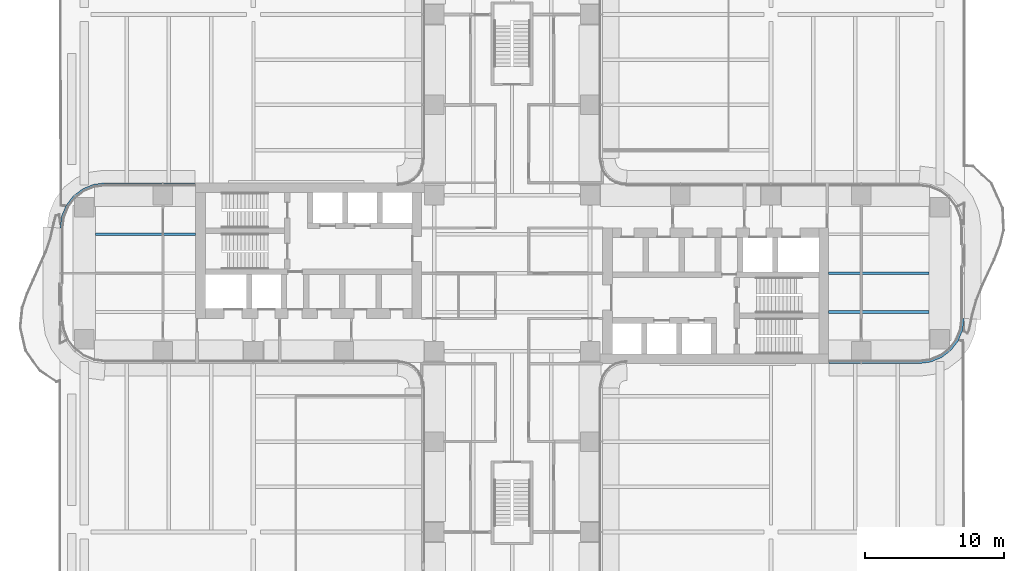
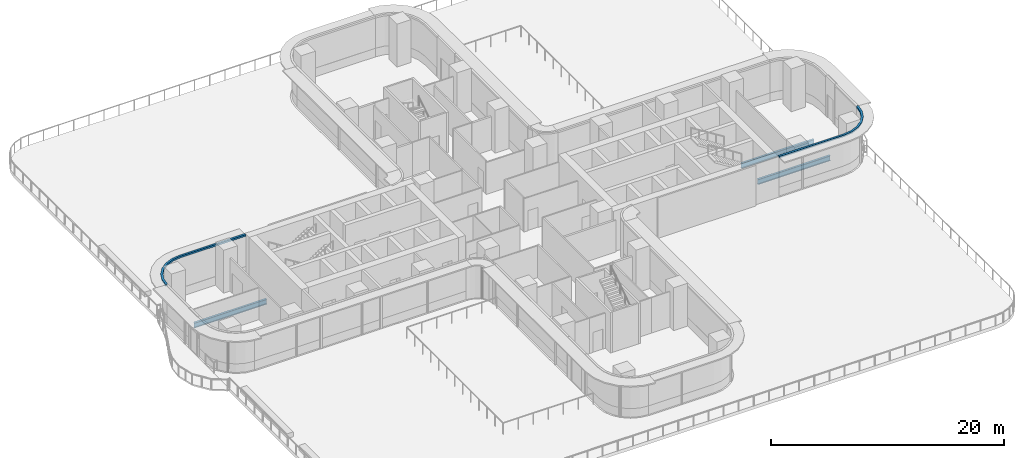
# One storey, part 9 of 29: 3 beams, 2 members, 2 elements without a shape of their own.
"""IFC4 building model written with IfcOpenShell, lengths in metres."""

import ifcopenshell
import ifcopenshell.guid

model = None  # the IFC model being written
_history = None  # IfcOwnerHistory: only IFC2X3 demands one
_inside = {}  # id of a spatial element -> (the spatial element, [elements in it])
_under = {}  # id of a project, library or spatial element -> (it, [spatial elements below it])
_declared = {}  # id of a project -> (the project, [libraries it declares])
_typed = {}  # id of a type object -> (the type object, [elements of that type])
_made_of = {}  # id of a material, layer set ... -> (it, [elements and type objects made of it])


def new_model(schema):
    """Start an empty IFC model of exactly this schema.

    Asked for "IFC4X3", IfcOpenShell would pick the latest addendum, in which some entities
    have other attributes; the version numbers below select the first issue.
    IFC2X3 requires an IfcOwnerHistory on every rooted entity: one is made here for all.
    """
    global model, _history
    if schema == "IFC4X3":
        model = ifcopenshell.file(schema_version=(4, 3, 0, 0))
    else:
        model = ifcopenshell.file(schema=schema)
    _inside.clear()
    _under.clear()
    _declared.clear()
    _typed.clear()
    _made_of.clear()
    _history = None
    if model.schema == "IFC2X3":
        org = make("IfcOrganization", Name="unknown")
        user = make(
            "IfcPersonAndOrganization",
            ThePerson=make("IfcPerson", FamilyName="unknown"),
            TheOrganization=org,
        )
        app = make(
            "IfcApplication",
            ApplicationDeveloper=org,
            Version="unknown",
            ApplicationFullName="unknown",
            ApplicationIdentifier="unknown",
        )
        _history = make(
            "IfcOwnerHistory",
            OwningUser=user,
            OwningApplication=app,
            ChangeAction="ADDED",
            CreationDate=0,
        )
    return model


def make(cls, **values):
    """One entity of the class cls with the attributes given. An attribute that is None is left unset."""
    return model.create_entity(
        cls, **{name: value for name, value in values.items() if value is not None}
    )


def rooted(cls, **values):
    """An entity with a GlobalId (a new one), such as an element, a storey or a relation."""
    return make(cls, GlobalId=ifcopenshell.guid.new(), OwnerHistory=_history, **values)


def si_unit(unit_type, name, prefix=None):
    """IfcSIUnit, for example si_unit("LENGTHUNIT", "METRE", prefix="MILLI")."""
    return make("IfcSIUnit", UnitType=unit_type, Prefix=prefix, Name=name)


def assignment(units):
    """IfcUnitAssignment: the units of a project."""
    return None if units is None else make("IfcUnitAssignment", Units=units)


def point(xyz):
    """IfcCartesianPoint."""
    return None if xyz is None else make("IfcCartesianPoint", Coordinates=xyz)


def direction(xyz):
    """IfcDirection."""
    return None if xyz is None else make("IfcDirection", DirectionRatios=xyz)


def frame(location, z_axis=None, x_axis=None):
    """IfcAxis2Placement3D, a coordinate frame: its origin and axes. An axis left out is left unset."""
    return make(
        "IfcAxis2Placement3D",
        Location=point(location),
        Axis=direction(z_axis),
        RefDirection=direction(x_axis),
    )


def frame_2d(location, x_axis=None):
    """IfcAxis2Placement2D, a coordinate frame in the plane: its origin and x axis."""
    return make(
        "IfcAxis2Placement2D", Location=point(location), RefDirection=direction(x_axis)
    )


def origin():
    """The frame at (0, 0, 0) with its axes left unset."""
    return frame((0.0, 0.0, 0.0))


def origin_2d():
    """The frame at (0, 0) in the plane with its x axis left unset."""
    return frame_2d((0.0, 0.0))


def place(relative_to, where):
    """IfcLocalPlacement: puts the frame where relative to a parent placement (None: the world)."""
    return make(
        "IfcLocalPlacement", PlacementRelTo=relative_to, RelativePlacement=where
    )


def context(
    kind, dimensions, precision=None, world=None, true_north=None, identifier=None
):
    """IfcGeometricRepresentationContext, for example the 3D "Model" context."""
    return make(
        "IfcGeometricRepresentationContext",
        ContextIdentifier=identifier,
        ContextType=kind,
        CoordinateSpaceDimension=dimensions,
        Precision=precision,
        WorldCoordinateSystem=world,
        TrueNorth=true_north,
    )


def subcontext(parent, identifier, kind, view, scale=None):
    """IfcGeometricRepresentationSubContext, for example "Body" below "Model"."""
    return make(
        "IfcGeometricRepresentationSubContext",
        ContextIdentifier=identifier,
        ContextType=kind,
        ParentContext=parent,
        TargetScale=scale,
        TargetView=view,
    )


def project(units=None, contexts=None):
    """IfcProject with its units and contexts."""
    return rooted(
        "IfcProject",
        Name="project",
        RepresentationContexts=contexts,
        UnitsInContext=assignment(units),
    )


def spatial(cls, under=None, at=None, **own):
    """A site, building, storey or space (cls), placed at a placement, below another one or the project."""
    s = rooted(cls, ObjectPlacement=at, **own)
    if under is not None:
        _under.setdefault(under.id(), (under, []))[1].append(s)
    return s


def polyline(points):
    """IfcPolyline through the points."""
    return make("IfcPolyline", Points=[point(p) for p in points])


def profile(cls, at=None, kind="AREA", **sizes):
    """A parametric profile (cls). Its sizes go by their IFC names, for example OverallWidth=200.0."""
    return make(cls, ProfileType=kind, Position=at, **sizes)


def i_section(**sizes):
    """IfcIShapeProfileDef."""
    return profile("IfcIShapeProfileDef", **sizes)


def outline(outer, holes=None, kind="AREA"):
    """IfcArbitraryClosedProfileDef: a profile drawn as a closed curve; with holes, ...WithVoids."""
    if holes is None:
        return make("IfcArbitraryClosedProfileDef", ProfileType=kind, OuterCurve=outer)
    return make(
        "IfcArbitraryProfileDefWithVoids",
        ProfileType=kind,
        OuterCurve=outer,
        InnerCurves=holes,
    )


def extrude(swept, where, along, depth):
    """IfcExtrudedAreaSolid: the profile swept, set in the frame where, extruded along a direction by depth."""
    return make(
        "IfcExtrudedAreaSolid",
        SweptArea=swept,
        Position=where,
        ExtrudedDirection=direction(along),
        Depth=depth,
    )


def shape(context_of_items, identifier, shape_type, items):
    """IfcShapeRepresentation: the items that make up one representation, for example the "Body"."""
    return make(
        "IfcShapeRepresentation",
        ContextOfItems=context_of_items,
        RepresentationIdentifier=identifier,
        RepresentationType=shape_type,
        Items=items,
    )


def source(mapping_origin, context_of_items, identifier, shape_type, items):
    """IfcRepresentationMap: a shape defined once, which mapped items show again and again."""
    return make(
        "IfcRepresentationMap",
        MappingOrigin=mapping_origin,
        MappedRepresentation=shape(context_of_items, identifier, shape_type, items),
    )


def transform(
    local_origin,
    x_axis=None,
    y_axis=None,
    z_axis=None,
    scale=None,
    scale2=None,
    scale3=None,
    uniform=True,
):
    """IfcCartesianTransformationOperator3D, or its non-uniform kind. x_axis, y_axis, z_axis: its Axis1, 2, 3."""
    if uniform:
        return make(
            "IfcCartesianTransformationOperator3D",
            Axis1=direction(x_axis),
            Axis2=direction(y_axis),
            LocalOrigin=point(local_origin),
            Scale=scale,
            Axis3=direction(z_axis),
        )
    return make(
        "IfcCartesianTransformationOperator3DnonUniform",
        Axis1=direction(x_axis),
        Axis2=direction(y_axis),
        LocalOrigin=point(local_origin),
        Scale=scale,
        Axis3=direction(z_axis),
        Scale2=scale2,
        Scale3=scale3,
    )


def mapped(mapping_source, mapping_target):
    """IfcMappedItem: shows the shape of a source again, moved by a transform."""
    return make(
        "IfcMappedItem", MappingSource=mapping_source, MappingTarget=mapping_target
    )


def material(Name=None, Category=None):
    """IfcMaterial."""
    return make("IfcMaterial", Name=Name, Category=Category)


def layer(
    of_material, thickness, ventilated=None, Name=None, Category=None, Priority=None
):
    """IfcMaterialLayer: one layer of a wall or slab, of a material (None: an air gap)."""
    return make(
        "IfcMaterialLayer",
        Material=of_material,
        LayerThickness=thickness,
        IsVentilated=ventilated,
        Name=Name,
        Category=Category,
        Priority=Priority,
    )


def layer_set(layers, Name=None):
    """IfcMaterialLayerSet."""
    return make("IfcMaterialLayerSet", MaterialLayers=layers, LayerSetName=Name)


def material_profile(
    of_material, cross_section, Name=None, Category=None, Priority=None
):
    """IfcMaterialProfile: a cross section and its material."""
    return make(
        "IfcMaterialProfile",
        Name=Name,
        Material=of_material,
        Profile=cross_section,
        Priority=Priority,
        Category=Category,
    )


def profile_set(profiles, Name=None, composite=None):
    """IfcMaterialProfileSet."""
    return make(
        "IfcMaterialProfileSet",
        Name=Name,
        MaterialProfiles=profiles,
        CompositeProfile=composite,
    )


def made_of(thing, what):
    """Note that an element or type object is made of a material, layer set ...; save() writes the relation."""
    if what is not None:
        _made_of.setdefault(what.id(), (what, []))[1].append(thing)
    return thing


def type_object(cls, material=None, **own):
    """A type object (cls), such as IfcWallType, which elements share."""
    return made_of(rooted(cls, **own), material)


def element(
    cls,
    number,
    at=None,
    inside=None,
    cuts=None,
    type_object=None,
    material=None,
    context=None,
    identifier="Body",
    shape_type=None,
    held_by="IfcProductDefinitionShape",
    body=None,
    shapes=None,
    **own,
):
    """One element of the class cls, such as IfcWall. Its Tag is "e" and its number.

    at: its placement. inside: the storey or other place that contains it. cuts: it is an
    opening in that element (IfcRelVoidsElement). A single representation is given by context,
    identifier, shape_type and body (its items); several are given by shapes. held_by: the class
    of the entity that holds the representations. save() writes the other relations.
    """
    e = rooted(cls, Tag="e%d" % number, ObjectPlacement=at, **own)
    if body is not None:
        shapes = [shape(context, identifier, shape_type, body)]
    if shapes is not None:
        e.Representation = make(held_by, Representations=shapes)
    if inside is not None:
        _inside.setdefault(inside.id(), (inside, []))[1].append(e)
    if cuts is not None:
        rooted(
            "IfcRelVoidsElement", RelatingBuildingElement=cuts, RelatedOpeningElement=e
        )
    if type_object is not None:
        _typed.setdefault(type_object.id(), (type_object, []))[1].append(e)
    return made_of(e, material)


def aggregate(whole, parts):
    """IfcRelAggregates: a whole, such as a stair, and the parts it consists of."""
    return rooted("IfcRelAggregates", RelatingObject=whole, RelatedObjects=parts)


def save(model, path):
    """Write the relations noted so far, then the file.

    IfcRelAggregates (storeys below a building ...), IfcRelContainedInSpatialStructure (elements
    in a storey), IfcRelDefinesByType, IfcRelAssociatesMaterial and IfcRelDeclares: one each for
    every whole, place, type object, material and project.
    """
    for whole, parts in _under.values():
        aggregate(whole, parts)
    for where, things in _inside.values():
        rooted(
            "IfcRelContainedInSpatialStructure",
            RelatedElements=things,
            RelatingStructure=where,
        )
    for kind, things in _typed.values():
        rooted("IfcRelDefinesByType", RelatedObjects=things, RelatingType=kind)
    for what, things in _made_of.values():
        rooted("IfcRelAssociatesMaterial", RelatedObjects=things, RelatingMaterial=what)
    for by, libraries in _declared.values():
        rooted("IfcRelDeclares", RelatingContext=by, RelatedDefinitions=libraries)
    model.write(path)


model = new_model("IFC4")

# Units and contexts
model_context = context("Model", 3, precision=1e-05, world=origin(), true_north=direction((0.0, 1.0)))
body_context = subcontext(model_context, "Body", "Model", "MODEL_VIEW")
ifc_project = project(units=[si_unit("LENGTHUNIT", "METRE"), si_unit("AREAUNIT", "SQUARE_METRE"), si_unit("VOLUMEUNIT", "CUBIC_METRE"), si_unit("PLANEANGLEUNIT", "RADIAN"), si_unit("MASSUNIT", "GRAM", prefix="KILO")], contexts=[model_context])

# Site, building, storey
site_placement = place(None, origin())
site = spatial("IfcSite", under=ifc_project, at=site_placement, CompositionType="ELEMENT")
building_placement = place(site_placement, origin())
building = spatial("IfcBuilding", under=site, at=building_placement, Name="Trellis Farm Tower", CompositionType="ELEMENT")
storey_placement = place(building_placement, frame((0.0, 0.0, 34.0)))
storey = spatial("IfcBuildingStorey", under=building, at=storey_placement, Name="L06", CompositionType="ELEMENT", Elevation=34.0)

# Beams
ifc_material_1 = material(Name="Steel S355", Category="steel")
ifc_material_profile = material_profile(ifc_material_1, i_section(OverallWidth=0.209228515625, OverallDepth=0.533203125, WebThickness=0.010009765625, FlangeThickness=0.015625, FilletRadius=0.0126953125, at=origin_2d()), Name="UB 533x210x92")
ifc_profile_set = profile_set([ifc_material_profile], Name="Steel S355")
beam_type = type_object("IfcBeamType", Name="UB 533x210x92 joist", PredefinedType="JOIST", material=ifc_profile_set)
shared_shape_1 = source(origin(), body_context, "Body", "SweptSolid", [
    extrude(i_section(OverallWidth=0.209228515625, OverallDepth=0.533203125, WebThickness=0.010009765625, FlangeThickness=0.015625, FilletRadius=0.0126953125, at=origin_2d()), origin(), (0.0, 0.0, 1.0), 7.199951171875),
])
for number, where, z_axis, x_axis, name in (
    (1, (22.75, -2.800048828125, -0.61669921875), (1.0, 0.0, 0.0), (0.0, 1.0, 0.0), "Floor beam"),
    (2, (22.75, 0.0, -0.61669921875), (1.0, 0.0, 0.0), (0.0, 1.0, 0.0), "Floor beam"),
    (3, (-29.949951171875, 2.800048828125, -0.61669921875), (1.0, 0.0, 0.0), (0.0, 1.0, 0.0), "Floor beam"),
):
    element("IfcBeam", number, at=place(storey_placement, frame(where, z_axis=z_axis, x_axis=x_axis)), inside=storey, type_object=beam_type, Name=name, PredefinedType="JOIST", context=body_context, shape_type="MappedRepresentation", body=[
        mapped(shared_shape_1, transform((0.0, 0.0, 0.0))),
    ])

# Curtain wall, member
ifc_material_2 = material(Name="Aluminium and glass curtain wall", Category="aluminium")
ifc_layer_1 = layer(ifc_material_2, 0.18994140625)
ifc_layer_set_1 = layer_set([ifc_layer_1], Name="RIBBON CURTAIN WALL CW1")
curtain_wall_type = type_object("IfcCurtainWallType", Name="RIBBON CURTAIN WALL CW1", PredefinedType="NOTDEFINED", material=ifc_layer_set_1)
placement_1 = place(storey_placement, origin())
curtain_wall_1 = element("IfcCurtainWall", 4, at=placement_1, inside=storey, type_object=curtain_wall_type, Name="CW1 006", PredefinedType="NOTDEFINED")
ifc_material_3 = material(Name="Aluminium extrusion 6063-T6", Category="aluminium")
ifc_layer_2 = layer(ifc_material_3, 0.199951171875)
ifc_layer_set_2 = layer_set([ifc_layer_2], Name="Aluminium extrusion 6063-T6")
member_type = type_object("IfcMemberType", Name="CW1 TRANSOM 200x180", PredefinedType="USERDEFINED", material=ifc_layer_set_2)
shared_shape_2 = source(origin(), body_context, "Body", "SweptSolid", [
    extrude(outline(polyline([(22.780029296875, -6.5), (29.25, -6.5), (30.091064453125, -6.38916015625), (30.875, -6.064697265625), (31.548095703125, -5.548095703125), (32.064697265625, -4.875), (32.38916015625, -4.091064453125), (32.5, -3.25), (32.300048828125, -3.23681640625), (32.1943359375, -4.0390625), (31.889892578125, -4.774169921875), (31.405517578125, -5.405517578125), (30.774169921875, -5.889892578125), (30.0390625, -6.1943359375), (29.23681640625, -6.300048828125), (22.780029296875, -6.300048828125), (22.780029296875, -6.5)])), origin(), (0.0, 0.0, 1.0), 0.179931640625),
])
placement_2 = place(storey_placement, frame((0.0, 0.0, 4.070068359375)))
member_1 = element("IfcMember", 5, at=placement_2, type_object=member_type, Name="TR1 006", ObjectType="TRANSOM", PredefinedType="USERDEFINED", context=body_context, shape_type="MappedRepresentation", body=[
    mapped(shared_shape_2, transform((0.0, 0.0, 0.0))),
])
aggregate(curtain_wall_1, [member_1])

curtain_wall_2 = element("IfcCurtainWall", 6, at=placement_1, inside=storey, type_object=curtain_wall_type, Name="CW1 014", PredefinedType="NOTDEFINED")
shared_shape_3 = source(origin(), body_context, "Body", "SweptSolid", [
    extrude(outline(polyline([(-22.780029296875, 6.5), (-29.25, 6.5), (-30.091064453125, 6.38916015625), (-30.875, 6.064697265625), (-31.548095703125, 5.548095703125), (-32.064697265625, 4.875), (-32.38916015625, 4.091064453125), (-32.5, 3.25), (-32.300048828125, 3.23681640625), (-32.1943359375, 4.0390625), (-31.889892578125, 4.774169921875), (-31.405517578125, 5.405517578125), (-30.774169921875, 5.889892578125), (-30.0390625, 6.1943359375), (-29.23681640625, 6.300048828125), (-22.780029296875, 6.300048828125), (-22.780029296875, 6.5)])), origin(), (0.0, 0.0, 1.0), 0.179931640625),
])
member_2 = element("IfcMember", 7, at=placement_2, type_object=member_type, Name="TR1 014", ObjectType="TRANSOM", PredefinedType="USERDEFINED", context=body_context, shape_type="MappedRepresentation", body=[
    mapped(shared_shape_3, transform((0.0, 0.0, 0.0))),
])
aggregate(curtain_wall_2, [member_2])

save(model, "model.ifc")
